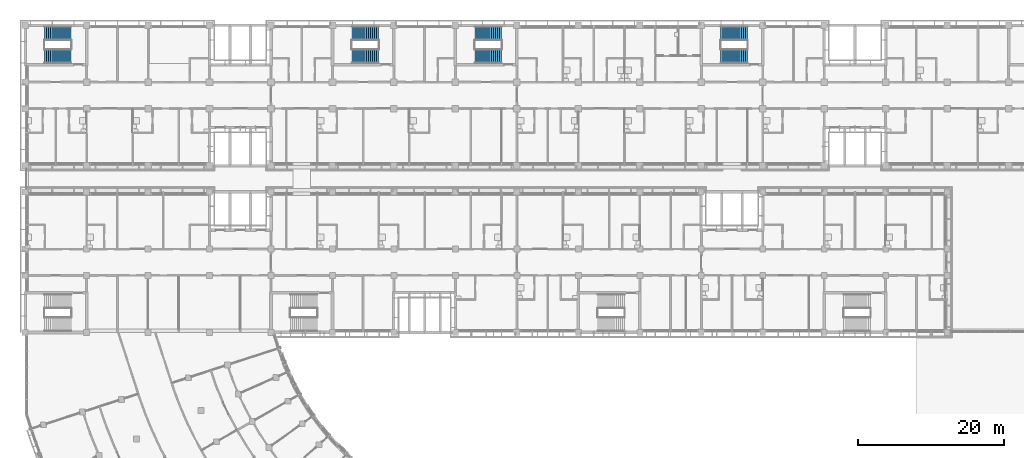
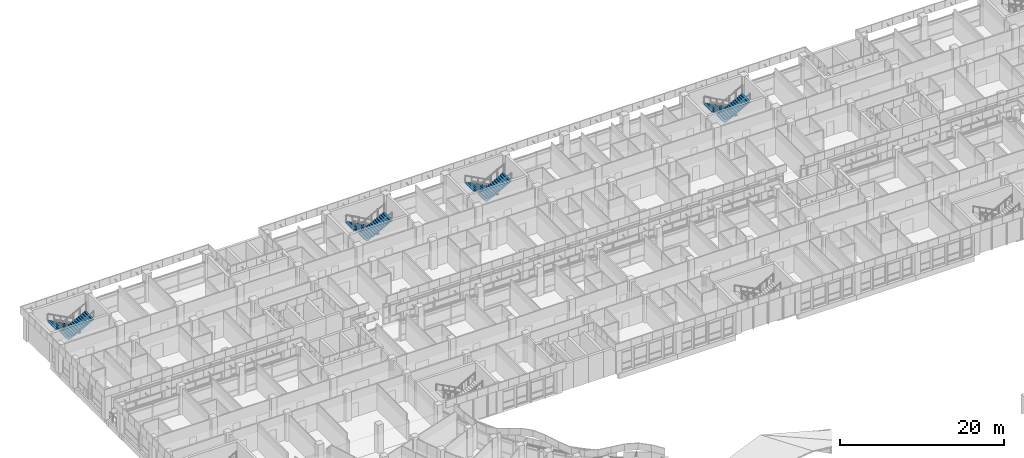
# One storey, part 90 of 137: 8 stair flights, 4 elements without a shape of their own.
"""IFC4 building model written with IfcOpenShell, lengths in metres."""

from ifc_helpers import new_model, si_unit, direction, frame, origin, place, context, subcontext, project, spatial, polyline, outline, extrude, material, type_object, element, aggregate, save


model = new_model("IFC4")

# Units and contexts
model_context = context("Model", 3, precision=1e-05, world=origin(), true_north=direction((0.0, 1.0)))
body_context = subcontext(model_context, "Body", "Model", "MODEL_VIEW")
ifc_project = project(units=[si_unit("LENGTHUNIT", "METRE"), si_unit("AREAUNIT", "SQUARE_METRE"), si_unit("VOLUMEUNIT", "CUBIC_METRE"), si_unit("PLANEANGLEUNIT", "RADIAN"), si_unit("MASSUNIT", "GRAM", prefix="KILO")], contexts=[model_context])

# Site, building, storey
site_placement = place(None, origin())
site = spatial("IfcSite", under=ifc_project, at=site_placement, CompositionType="ELEMENT")
building_placement = place(site_placement, origin())
building = spatial("IfcBuilding", under=site, at=building_placement, Name="Bougainvillea Quay General Hospital", CompositionType="ELEMENT")
storey_placement = place(building_placement, frame((0.0, 0.0, 16.800048828125)))
storey = spatial("IfcBuildingStorey", under=building, at=storey_placement, Name="L03", CompositionType="ELEMENT", Elevation=16.800048828125)

# Stair, stair flights
ifc_material = material(Name="Concrete C35", Category="concrete")
stair_type = type_object("IfcStairType", Name="Stair half-turn 1925 wide", PredefinedType="HALF_TURN_STAIR", material=ifc_material)
stair_1_placement = place(storey_placement, origin())
stair_1 = element("IfcStair", 1, at=stair_1_placement, inside=storey, type_object=stair_type, Name="L03 stair ST-A1", PredefinedType="HALF_TURN_STAIR")
stair_flight_type = type_object("IfcStairFlightType", Name="Stair flight 1925", PredefinedType="STRAIGHT", material=ifc_material)
stair_flight_1_placement = place(storey_placement, frame((48.300048828125, 158.46240234375, 0.0), z_axis=(0.0, 0.0, 1.0), x_axis=(-1.0, 0.0, 0.0)))
stair_flight_1 = element("IfcStairFlight", 2, at=stair_flight_1_placement, type_object=stair_flight_type, Name="ST-A1 flight 1", NumberOfRisers=14, NumberOfTreads=13, PredefinedType="STRAIGHT", RiserHeight=0.15, TreadLength=0.28, context=body_context, shape_type="SweptSolid", body=[
    extrude(outline(polyline([(-0.0029296875, 0.0), (-0.0029296875, 0.003662109375), (-0.0029296875, 0.00732421875), (-0.0029296875, 0.010986328125), (-0.0029296875, 0.0146484375), (-0.0029296875, 0.018310546875), (-0.0029296875, 0.02197265625), (-0.0029296875, 0.025634765625), (-0.0029296875, 0.029296875), (-0.0029296875, 0.032958984375), (-0.0029296875, 0.03662109375), (-0.0029296875, 0.040283203125), (-0.0029296875, 0.0439453125), (-0.0029296875, 0.047607421875), (-0.0029296875, 0.05126953125), (-0.0029296875, 0.054931640625), (-0.0029296875, 0.05859375), (-0.0029296875, 0.062255859375), (-0.0029296875, 0.06591796875), (-0.0029296875, 0.069580078125), (-0.0029296875, 0.0732421875), (-0.0029296875, 0.076904296875), (-0.0029296875, 0.08056640625), (-0.0029296875, 0.084228515625), (-0.0029296875, 0.087890625), (-0.0029296875, 0.091552734375), (-0.0029296875, 0.09521484375), (-0.0029296875, 0.098876953125), (-0.0029296875, 0.1025390625), (-0.0029296875, 0.106201171875), (-0.0029296875, 0.10986328125), (-0.0029296875, 0.113525390625), (-0.0029296875, 0.1171875), (-0.0029296875, 0.120849609375), (-0.0029296875, 0.12451171875), (-0.0029296875, 0.1279296875), (-0.0029296875, 0.131591796875), (-0.0029296875, 0.13525390625), (-0.0029296875, 0.138916015625), (-0.0029296875, 0.142578125), (-0.0029296875, 0.146240234375), (-0.0029296875, 0.14990234375), (0.280029296875, 0.14990234375), (0.280029296875, 0.300048828125), (0.56005859375, 0.300048828125), (0.56005859375, 0.449951171875), (0.840087890625, 0.449951171875), (0.840087890625, 0.60009765625), (1.1201171875, 0.60009765625), (1.1201171875, 0.75), (1.39990234375, 0.75), (1.39990234375, 0.89990234375), (1.679931640625, 0.89990234375), (1.679931640625, 1.050048828125), (1.9599609375, 1.050048828125), (1.9599609375, 1.199951171875), (2.239990234375, 1.199951171875), (2.239990234375, 1.35009765625), (2.52001953125, 1.35009765625), (2.52001953125, 1.5), (2.800048828125, 1.5), (2.800048828125, 1.64990234375), (3.080078125, 1.64990234375), (3.080078125, 1.800048828125), (3.360107421875, 1.800048828125), (3.360107421875, 1.949951171875), (3.64306640625, 1.949951171875), (3.64306640625, 1.94580078125), (3.64306640625, 1.941650390625), (3.64306640625, 1.9375), (3.64306640625, 1.933349609375), (3.64306640625, 1.92919921875), (3.64306640625, 1.925048828125), (3.64306640625, 1.9208984375), (3.64306640625, 1.916748046875), (3.64306640625, 1.91259765625), (3.64306640625, 1.908447265625), (3.64306640625, 1.904296875), (3.64306640625, 1.900146484375), (3.64306640625, 1.89599609375), (3.64306640625, 1.891845703125), (3.64306640625, 1.8876953125), (3.64306640625, 1.883544921875), (3.64306640625, 1.87939453125), (3.64306640625, 1.875244140625), (3.64306640625, 1.87109375), (3.64306640625, 1.866943359375), (3.64306640625, 1.86279296875), (3.64306640625, 1.858642578125), (3.64306640625, 1.8544921875), (3.64306640625, 1.850341796875), (3.64306640625, 1.84619140625), (3.64306640625, 1.842041015625), (3.64306640625, 1.837890625), (3.64306640625, 1.833984375), (3.64306640625, 1.829833984375), (3.64306640625, 1.82568359375), (3.64306640625, 1.821533203125), (3.64306640625, 1.8173828125), (3.64306640625, 1.813232421875), (3.64306640625, 1.80908203125), (3.64306640625, 1.804931640625), (3.64306640625, 1.80078125), (3.64306640625, 1.796630859375), (3.64306640625, 1.79248046875), (3.64306640625, 1.788330078125), (3.64306640625, 1.7841796875), (3.64306640625, 1.780029296875), (0.3173828125, 0.0), (-0.0029296875, 0.0)])), frame((0.0, 0.96240234375, 0.0), z_axis=(0.0, -1.0, 0.0), x_axis=(1.0, 0.0, 0.0)), (0.0, 0.0, 1.0), 1.925048828125),
])
stair_flight_2_placement = place(storey_placement, frame((44.659912109375, 155.33740234375, 2.099853515625), z_axis=(0.0, 0.0, 1.0), x_axis=(1.0, 0.0, 0.0)))
stair_flight_2 = element("IfcStairFlight", 3, at=stair_flight_2_placement, type_object=stair_flight_type, Name="ST-A1 flight 2", NumberOfRisers=14, NumberOfTreads=13, PredefinedType="STRAIGHT", RiserHeight=0.15, TreadLength=0.28, context=body_context, shape_type="SweptSolid", body=[
    extrude(outline(polyline([(-0.0029296875, 0.0), (-0.0029296875, 0.003662109375), (-0.0029296875, 0.00732421875), (-0.0029296875, 0.010986328125), (-0.0029296875, 0.0146484375), (-0.0029296875, 0.018310546875), (-0.0029296875, 0.02197265625), (-0.0029296875, 0.025634765625), (-0.0029296875, 0.029296875), (-0.0029296875, 0.032958984375), (-0.0029296875, 0.03662109375), (-0.0029296875, 0.040283203125), (-0.0029296875, 0.0439453125), (-0.0029296875, 0.047607421875), (-0.0029296875, 0.05126953125), (-0.0029296875, 0.054931640625), (-0.0029296875, 0.05859375), (-0.0029296875, 0.062255859375), (-0.0029296875, 0.06591796875), (-0.0029296875, 0.069580078125), (-0.0029296875, 0.0732421875), (-0.0029296875, 0.076904296875), (-0.0029296875, 0.08056640625), (-0.0029296875, 0.084228515625), (-0.0029296875, 0.087890625), (-0.0029296875, 0.091552734375), (-0.0029296875, 0.09521484375), (-0.0029296875, 0.098876953125), (-0.0029296875, 0.1025390625), (-0.0029296875, 0.106201171875), (-0.0029296875, 0.10986328125), (-0.0029296875, 0.113525390625), (-0.0029296875, 0.1171875), (-0.0029296875, 0.120849609375), (-0.0029296875, 0.12451171875), (-0.0029296875, 0.1279296875), (-0.0029296875, 0.131591796875), (-0.0029296875, 0.13525390625), (-0.0029296875, 0.138916015625), (-0.0029296875, 0.142578125), (-0.0029296875, 0.146240234375), (-0.0029296875, 0.14990234375), (0.280029296875, 0.14990234375), (0.280029296875, 0.300048828125), (0.56005859375, 0.300048828125), (0.56005859375, 0.449951171875), (0.840087890625, 0.449951171875), (0.840087890625, 0.60009765625), (1.1201171875, 0.60009765625), (1.1201171875, 0.75), (1.39990234375, 0.75), (1.39990234375, 0.89990234375), (1.679931640625, 0.89990234375), (1.679931640625, 1.050048828125), (1.9599609375, 1.050048828125), (1.9599609375, 1.199951171875), (2.239990234375, 1.199951171875), (2.239990234375, 1.35009765625), (2.52001953125, 1.35009765625), (2.52001953125, 1.5), (2.800048828125, 1.5), (2.800048828125, 1.64990234375), (3.080078125, 1.64990234375), (3.080078125, 1.800048828125), (3.360107421875, 1.800048828125), (3.360107421875, 1.949951171875), (3.64306640625, 1.949951171875), (3.64306640625, 1.94580078125), (3.64306640625, 1.941650390625), (3.64306640625, 1.9375), (3.64306640625, 1.933349609375), (3.64306640625, 1.92919921875), (3.64306640625, 1.925048828125), (3.64306640625, 1.9208984375), (3.64306640625, 1.916748046875), (3.64306640625, 1.91259765625), (3.64306640625, 1.908447265625), (3.64306640625, 1.904296875), (3.64306640625, 1.900146484375), (3.64306640625, 1.89599609375), (3.64306640625, 1.891845703125), (3.64306640625, 1.8876953125), (3.64306640625, 1.883544921875), (3.64306640625, 1.87939453125), (3.64306640625, 1.875244140625), (3.64306640625, 1.87109375), (3.64306640625, 1.866943359375), (3.64306640625, 1.86279296875), (3.64306640625, 1.858642578125), (3.64306640625, 1.8544921875), (3.64306640625, 1.850341796875), (3.64306640625, 1.84619140625), (3.64306640625, 1.842041015625), (3.64306640625, 1.837890625), (3.64306640625, 1.833984375), (3.64306640625, 1.829833984375), (3.64306640625, 1.82568359375), (3.64306640625, 1.821533203125), (3.64306640625, 1.8173828125), (3.64306640625, 1.813232421875), (3.64306640625, 1.80908203125), (3.64306640625, 1.804931640625), (3.64306640625, 1.80078125), (3.64306640625, 1.796630859375), (3.64306640625, 1.79248046875), (3.64306640625, 1.788330078125), (3.64306640625, 1.7841796875), (3.64306640625, 1.780029296875), (0.3173828125, 0.0), (-0.0029296875, 0.0)])), frame((0.0, 0.96240234375, 0.0), z_axis=(0.0, -1.0, 0.0), x_axis=(1.0, 0.0, 0.0)), (0.0, 0.0, 1.0), 1.925048828125),
])
aggregate(stair_1, [stair_flight_1, stair_flight_2])

stair_2_placement = place(storey_placement, origin())
stair_2 = element("IfcStair", 4, at=stair_2_placement, inside=storey, type_object=stair_type, Name="L03 stair ST-A2", PredefinedType="HALF_TURN_STAIR")
stair_flight_3_placement = place(storey_placement, frame((90.300048828125, 158.46240234375, 0.0), z_axis=(0.0, 0.0, 1.0), x_axis=(-1.0, 0.0, 0.0)))
stair_flight_3 = element("IfcStairFlight", 5, at=stair_flight_3_placement, type_object=stair_flight_type, Name="ST-A2 flight 1", NumberOfRisers=14, NumberOfTreads=13, PredefinedType="STRAIGHT", RiserHeight=0.15, TreadLength=0.28, context=body_context, shape_type="SweptSolid", body=[
    extrude(outline(polyline([(-0.0029296875, 0.0), (-0.0029296875, 0.003662109375), (-0.0029296875, 0.00732421875), (-0.0029296875, 0.010986328125), (-0.0029296875, 0.0146484375), (-0.0029296875, 0.018310546875), (-0.0029296875, 0.02197265625), (-0.0029296875, 0.025634765625), (-0.0029296875, 0.029296875), (-0.0029296875, 0.032958984375), (-0.0029296875, 0.03662109375), (-0.0029296875, 0.040283203125), (-0.0029296875, 0.0439453125), (-0.0029296875, 0.047607421875), (-0.0029296875, 0.05126953125), (-0.0029296875, 0.054931640625), (-0.0029296875, 0.05859375), (-0.0029296875, 0.062255859375), (-0.0029296875, 0.06591796875), (-0.0029296875, 0.069580078125), (-0.0029296875, 0.0732421875), (-0.0029296875, 0.076904296875), (-0.0029296875, 0.08056640625), (-0.0029296875, 0.084228515625), (-0.0029296875, 0.087890625), (-0.0029296875, 0.091552734375), (-0.0029296875, 0.09521484375), (-0.0029296875, 0.098876953125), (-0.0029296875, 0.1025390625), (-0.0029296875, 0.106201171875), (-0.0029296875, 0.10986328125), (-0.0029296875, 0.113525390625), (-0.0029296875, 0.1171875), (-0.0029296875, 0.120849609375), (-0.0029296875, 0.12451171875), (-0.0029296875, 0.1279296875), (-0.0029296875, 0.131591796875), (-0.0029296875, 0.13525390625), (-0.0029296875, 0.138916015625), (-0.0029296875, 0.142578125), (-0.0029296875, 0.146240234375), (-0.0029296875, 0.14990234375), (0.280029296875, 0.14990234375), (0.280029296875, 0.300048828125), (0.56005859375, 0.300048828125), (0.56005859375, 0.449951171875), (0.840087890625, 0.449951171875), (0.840087890625, 0.60009765625), (1.1201171875, 0.60009765625), (1.1201171875, 0.75), (1.39990234375, 0.75), (1.39990234375, 0.89990234375), (1.679931640625, 0.89990234375), (1.679931640625, 1.050048828125), (1.9599609375, 1.050048828125), (1.9599609375, 1.199951171875), (2.239990234375, 1.199951171875), (2.239990234375, 1.35009765625), (2.52001953125, 1.35009765625), (2.52001953125, 1.5), (2.800048828125, 1.5), (2.800048828125, 1.64990234375), (3.080078125, 1.64990234375), (3.080078125, 1.800048828125), (3.360107421875, 1.800048828125), (3.360107421875, 1.949951171875), (3.64306640625, 1.949951171875), (3.64306640625, 1.94580078125), (3.64306640625, 1.941650390625), (3.64306640625, 1.9375), (3.64306640625, 1.933349609375), (3.64306640625, 1.92919921875), (3.64306640625, 1.925048828125), (3.64306640625, 1.9208984375), (3.64306640625, 1.916748046875), (3.64306640625, 1.91259765625), (3.64306640625, 1.908447265625), (3.64306640625, 1.904296875), (3.64306640625, 1.900146484375), (3.64306640625, 1.89599609375), (3.64306640625, 1.891845703125), (3.64306640625, 1.8876953125), (3.64306640625, 1.883544921875), (3.64306640625, 1.87939453125), (3.64306640625, 1.875244140625), (3.64306640625, 1.87109375), (3.64306640625, 1.866943359375), (3.64306640625, 1.86279296875), (3.64306640625, 1.858642578125), (3.64306640625, 1.8544921875), (3.64306640625, 1.850341796875), (3.64306640625, 1.84619140625), (3.64306640625, 1.842041015625), (3.64306640625, 1.837890625), (3.64306640625, 1.833984375), (3.64306640625, 1.829833984375), (3.64306640625, 1.82568359375), (3.64306640625, 1.821533203125), (3.64306640625, 1.8173828125), (3.64306640625, 1.813232421875), (3.64306640625, 1.80908203125), (3.64306640625, 1.804931640625), (3.64306640625, 1.80078125), (3.64306640625, 1.796630859375), (3.64306640625, 1.79248046875), (3.64306640625, 1.788330078125), (3.64306640625, 1.7841796875), (3.64306640625, 1.780029296875), (0.3173828125, 0.0), (-0.0029296875, 0.0)])), frame((0.0, 0.96240234375, 0.0), z_axis=(0.0, -1.0, 0.0), x_axis=(1.0, 0.0, 0.0)), (0.0, 0.0, 1.0), 1.925048828125),
])
stair_flight_4_placement = place(storey_placement, frame((86.659912109375, 155.33740234375, 2.099853515625), z_axis=(0.0, 0.0, 1.0), x_axis=(1.0, 0.0, 0.0)))
stair_flight_4 = element("IfcStairFlight", 6, at=stair_flight_4_placement, type_object=stair_flight_type, Name="ST-A2 flight 2", NumberOfRisers=14, NumberOfTreads=13, PredefinedType="STRAIGHT", RiserHeight=0.15, TreadLength=0.28, context=body_context, shape_type="SweptSolid", body=[
    extrude(outline(polyline([(-0.0029296875, 0.0), (-0.0029296875, 0.003662109375), (-0.0029296875, 0.00732421875), (-0.0029296875, 0.010986328125), (-0.0029296875, 0.0146484375), (-0.0029296875, 0.018310546875), (-0.0029296875, 0.02197265625), (-0.0029296875, 0.025634765625), (-0.0029296875, 0.029296875), (-0.0029296875, 0.032958984375), (-0.0029296875, 0.03662109375), (-0.0029296875, 0.040283203125), (-0.0029296875, 0.0439453125), (-0.0029296875, 0.047607421875), (-0.0029296875, 0.05126953125), (-0.0029296875, 0.054931640625), (-0.0029296875, 0.05859375), (-0.0029296875, 0.062255859375), (-0.0029296875, 0.06591796875), (-0.0029296875, 0.069580078125), (-0.0029296875, 0.0732421875), (-0.0029296875, 0.076904296875), (-0.0029296875, 0.08056640625), (-0.0029296875, 0.084228515625), (-0.0029296875, 0.087890625), (-0.0029296875, 0.091552734375), (-0.0029296875, 0.09521484375), (-0.0029296875, 0.098876953125), (-0.0029296875, 0.1025390625), (-0.0029296875, 0.106201171875), (-0.0029296875, 0.10986328125), (-0.0029296875, 0.113525390625), (-0.0029296875, 0.1171875), (-0.0029296875, 0.120849609375), (-0.0029296875, 0.12451171875), (-0.0029296875, 0.1279296875), (-0.0029296875, 0.131591796875), (-0.0029296875, 0.13525390625), (-0.0029296875, 0.138916015625), (-0.0029296875, 0.142578125), (-0.0029296875, 0.146240234375), (-0.0029296875, 0.14990234375), (0.280029296875, 0.14990234375), (0.280029296875, 0.300048828125), (0.56005859375, 0.300048828125), (0.56005859375, 0.449951171875), (0.840087890625, 0.449951171875), (0.840087890625, 0.60009765625), (1.1201171875, 0.60009765625), (1.1201171875, 0.75), (1.39990234375, 0.75), (1.39990234375, 0.89990234375), (1.679931640625, 0.89990234375), (1.679931640625, 1.050048828125), (1.9599609375, 1.050048828125), (1.9599609375, 1.199951171875), (2.239990234375, 1.199951171875), (2.239990234375, 1.35009765625), (2.52001953125, 1.35009765625), (2.52001953125, 1.5), (2.800048828125, 1.5), (2.800048828125, 1.64990234375), (3.080078125, 1.64990234375), (3.080078125, 1.800048828125), (3.360107421875, 1.800048828125), (3.360107421875, 1.949951171875), (3.64306640625, 1.949951171875), (3.64306640625, 1.94580078125), (3.64306640625, 1.941650390625), (3.64306640625, 1.9375), (3.64306640625, 1.933349609375), (3.64306640625, 1.92919921875), (3.64306640625, 1.925048828125), (3.64306640625, 1.9208984375), (3.64306640625, 1.916748046875), (3.64306640625, 1.91259765625), (3.64306640625, 1.908447265625), (3.64306640625, 1.904296875), (3.64306640625, 1.900146484375), (3.64306640625, 1.89599609375), (3.64306640625, 1.891845703125), (3.64306640625, 1.8876953125), (3.64306640625, 1.883544921875), (3.64306640625, 1.87939453125), (3.64306640625, 1.875244140625), (3.64306640625, 1.87109375), (3.64306640625, 1.866943359375), (3.64306640625, 1.86279296875), (3.64306640625, 1.858642578125), (3.64306640625, 1.8544921875), (3.64306640625, 1.850341796875), (3.64306640625, 1.84619140625), (3.64306640625, 1.842041015625), (3.64306640625, 1.837890625), (3.64306640625, 1.833984375), (3.64306640625, 1.829833984375), (3.64306640625, 1.82568359375), (3.64306640625, 1.821533203125), (3.64306640625, 1.8173828125), (3.64306640625, 1.813232421875), (3.64306640625, 1.80908203125), (3.64306640625, 1.804931640625), (3.64306640625, 1.80078125), (3.64306640625, 1.796630859375), (3.64306640625, 1.79248046875), (3.64306640625, 1.788330078125), (3.64306640625, 1.7841796875), (3.64306640625, 1.780029296875), (0.3173828125, 0.0), (-0.0029296875, 0.0)])), frame((0.0, 0.96240234375, 0.0), z_axis=(0.0, -1.0, 0.0), x_axis=(1.0, 0.0, 0.0)), (0.0, 0.0, 1.0), 1.925048828125),
])
aggregate(stair_2, [stair_flight_3, stair_flight_4])

stair_3_placement = place(storey_placement, origin())
stair_3 = element("IfcStair", 7, at=stair_3_placement, inside=storey, type_object=stair_type, Name="L03 stair ST-A3", PredefinedType="HALF_TURN_STAIR")
stair_flight_5_placement = place(storey_placement, frame((140.699951171875, 158.46240234375, 0.0), z_axis=(0.0, 0.0, 1.0), x_axis=(-1.0, 0.0, 0.0)))
stair_flight_5 = element("IfcStairFlight", 8, at=stair_flight_5_placement, type_object=stair_flight_type, Name="ST-A3 flight 1", NumberOfRisers=14, NumberOfTreads=13, PredefinedType="STRAIGHT", RiserHeight=0.15, TreadLength=0.28, context=body_context, shape_type="SweptSolid", body=[
    extrude(outline(polyline([(-0.0029296875, 0.0), (-0.0029296875, 0.003662109375), (-0.0029296875, 0.00732421875), (-0.0029296875, 0.010986328125), (-0.0029296875, 0.0146484375), (-0.0029296875, 0.018310546875), (-0.0029296875, 0.02197265625), (-0.0029296875, 0.025634765625), (-0.0029296875, 0.029296875), (-0.0029296875, 0.032958984375), (-0.0029296875, 0.03662109375), (-0.0029296875, 0.040283203125), (-0.0029296875, 0.0439453125), (-0.0029296875, 0.047607421875), (-0.0029296875, 0.05126953125), (-0.0029296875, 0.054931640625), (-0.0029296875, 0.05859375), (-0.0029296875, 0.062255859375), (-0.0029296875, 0.06591796875), (-0.0029296875, 0.069580078125), (-0.0029296875, 0.0732421875), (-0.0029296875, 0.076904296875), (-0.0029296875, 0.08056640625), (-0.0029296875, 0.084228515625), (-0.0029296875, 0.087890625), (-0.0029296875, 0.091552734375), (-0.0029296875, 0.09521484375), (-0.0029296875, 0.098876953125), (-0.0029296875, 0.1025390625), (-0.0029296875, 0.106201171875), (-0.0029296875, 0.10986328125), (-0.0029296875, 0.113525390625), (-0.0029296875, 0.1171875), (-0.0029296875, 0.120849609375), (-0.0029296875, 0.12451171875), (-0.0029296875, 0.1279296875), (-0.0029296875, 0.131591796875), (-0.0029296875, 0.13525390625), (-0.0029296875, 0.138916015625), (-0.0029296875, 0.142578125), (-0.0029296875, 0.146240234375), (-0.0029296875, 0.14990234375), (0.280029296875, 0.14990234375), (0.280029296875, 0.300048828125), (0.56005859375, 0.300048828125), (0.56005859375, 0.449951171875), (0.840087890625, 0.449951171875), (0.840087890625, 0.60009765625), (1.1201171875, 0.60009765625), (1.1201171875, 0.75), (1.39990234375, 0.75), (1.39990234375, 0.89990234375), (1.679931640625, 0.89990234375), (1.679931640625, 1.050048828125), (1.9599609375, 1.050048828125), (1.9599609375, 1.199951171875), (2.239990234375, 1.199951171875), (2.239990234375, 1.35009765625), (2.52001953125, 1.35009765625), (2.52001953125, 1.5), (2.800048828125, 1.5), (2.800048828125, 1.64990234375), (3.080078125, 1.64990234375), (3.080078125, 1.800048828125), (3.360107421875, 1.800048828125), (3.360107421875, 1.949951171875), (3.64306640625, 1.949951171875), (3.64306640625, 1.94580078125), (3.64306640625, 1.941650390625), (3.64306640625, 1.9375), (3.64306640625, 1.933349609375), (3.64306640625, 1.92919921875), (3.64306640625, 1.925048828125), (3.64306640625, 1.9208984375), (3.64306640625, 1.916748046875), (3.64306640625, 1.91259765625), (3.64306640625, 1.908447265625), (3.64306640625, 1.904296875), (3.64306640625, 1.900146484375), (3.64306640625, 1.89599609375), (3.64306640625, 1.891845703125), (3.64306640625, 1.8876953125), (3.64306640625, 1.883544921875), (3.64306640625, 1.87939453125), (3.64306640625, 1.875244140625), (3.64306640625, 1.87109375), (3.64306640625, 1.866943359375), (3.64306640625, 1.86279296875), (3.64306640625, 1.858642578125), (3.64306640625, 1.8544921875), (3.64306640625, 1.850341796875), (3.64306640625, 1.84619140625), (3.64306640625, 1.842041015625), (3.64306640625, 1.837890625), (3.64306640625, 1.833984375), (3.64306640625, 1.829833984375), (3.64306640625, 1.82568359375), (3.64306640625, 1.821533203125), (3.64306640625, 1.8173828125), (3.64306640625, 1.813232421875), (3.64306640625, 1.80908203125), (3.64306640625, 1.804931640625), (3.64306640625, 1.80078125), (3.64306640625, 1.796630859375), (3.64306640625, 1.79248046875), (3.64306640625, 1.788330078125), (3.64306640625, 1.7841796875), (3.64306640625, 1.780029296875), (0.3173828125, 0.0), (-0.0029296875, 0.0)])), frame((0.0, 0.96240234375, 0.0), z_axis=(0.0, -1.0, 0.0), x_axis=(1.0, 0.0, 0.0)), (0.0, 0.0, 1.0), 1.925048828125),
])
stair_flight_6_placement = place(storey_placement, frame((137.06005859375, 155.33740234375, 2.099853515625), z_axis=(0.0, 0.0, 1.0), x_axis=(1.0, 0.0, 0.0)))
stair_flight_6 = element("IfcStairFlight", 9, at=stair_flight_6_placement, type_object=stair_flight_type, Name="ST-A3 flight 2", NumberOfRisers=14, NumberOfTreads=13, PredefinedType="STRAIGHT", RiserHeight=0.15, TreadLength=0.28, context=body_context, shape_type="SweptSolid", body=[
    extrude(outline(polyline([(-0.0029296875, 0.0), (-0.0029296875, 0.003662109375), (-0.0029296875, 0.00732421875), (-0.0029296875, 0.010986328125), (-0.0029296875, 0.0146484375), (-0.0029296875, 0.018310546875), (-0.0029296875, 0.02197265625), (-0.0029296875, 0.025634765625), (-0.0029296875, 0.029296875), (-0.0029296875, 0.032958984375), (-0.0029296875, 0.03662109375), (-0.0029296875, 0.040283203125), (-0.0029296875, 0.0439453125), (-0.0029296875, 0.047607421875), (-0.0029296875, 0.05126953125), (-0.0029296875, 0.054931640625), (-0.0029296875, 0.05859375), (-0.0029296875, 0.062255859375), (-0.0029296875, 0.06591796875), (-0.0029296875, 0.069580078125), (-0.0029296875, 0.0732421875), (-0.0029296875, 0.076904296875), (-0.0029296875, 0.08056640625), (-0.0029296875, 0.084228515625), (-0.0029296875, 0.087890625), (-0.0029296875, 0.091552734375), (-0.0029296875, 0.09521484375), (-0.0029296875, 0.098876953125), (-0.0029296875, 0.1025390625), (-0.0029296875, 0.106201171875), (-0.0029296875, 0.10986328125), (-0.0029296875, 0.113525390625), (-0.0029296875, 0.1171875), (-0.0029296875, 0.120849609375), (-0.0029296875, 0.12451171875), (-0.0029296875, 0.1279296875), (-0.0029296875, 0.131591796875), (-0.0029296875, 0.13525390625), (-0.0029296875, 0.138916015625), (-0.0029296875, 0.142578125), (-0.0029296875, 0.146240234375), (-0.0029296875, 0.14990234375), (0.280029296875, 0.14990234375), (0.280029296875, 0.300048828125), (0.56005859375, 0.300048828125), (0.56005859375, 0.449951171875), (0.840087890625, 0.449951171875), (0.840087890625, 0.60009765625), (1.1201171875, 0.60009765625), (1.1201171875, 0.75), (1.39990234375, 0.75), (1.39990234375, 0.89990234375), (1.679931640625, 0.89990234375), (1.679931640625, 1.050048828125), (1.9599609375, 1.050048828125), (1.9599609375, 1.199951171875), (2.239990234375, 1.199951171875), (2.239990234375, 1.35009765625), (2.52001953125, 1.35009765625), (2.52001953125, 1.5), (2.800048828125, 1.5), (2.800048828125, 1.64990234375), (3.080078125, 1.64990234375), (3.080078125, 1.800048828125), (3.360107421875, 1.800048828125), (3.360107421875, 1.949951171875), (3.64306640625, 1.949951171875), (3.64306640625, 1.94580078125), (3.64306640625, 1.941650390625), (3.64306640625, 1.9375), (3.64306640625, 1.933349609375), (3.64306640625, 1.92919921875), (3.64306640625, 1.925048828125), (3.64306640625, 1.9208984375), (3.64306640625, 1.916748046875), (3.64306640625, 1.91259765625), (3.64306640625, 1.908447265625), (3.64306640625, 1.904296875), (3.64306640625, 1.900146484375), (3.64306640625, 1.89599609375), (3.64306640625, 1.891845703125), (3.64306640625, 1.8876953125), (3.64306640625, 1.883544921875), (3.64306640625, 1.87939453125), (3.64306640625, 1.875244140625), (3.64306640625, 1.87109375), (3.64306640625, 1.866943359375), (3.64306640625, 1.86279296875), (3.64306640625, 1.858642578125), (3.64306640625, 1.8544921875), (3.64306640625, 1.850341796875), (3.64306640625, 1.84619140625), (3.64306640625, 1.842041015625), (3.64306640625, 1.837890625), (3.64306640625, 1.833984375), (3.64306640625, 1.829833984375), (3.64306640625, 1.82568359375), (3.64306640625, 1.821533203125), (3.64306640625, 1.8173828125), (3.64306640625, 1.813232421875), (3.64306640625, 1.80908203125), (3.64306640625, 1.804931640625), (3.64306640625, 1.80078125), (3.64306640625, 1.796630859375), (3.64306640625, 1.79248046875), (3.64306640625, 1.788330078125), (3.64306640625, 1.7841796875), (3.64306640625, 1.780029296875), (0.3173828125, 0.0), (-0.0029296875, 0.0)])), frame((0.0, 0.96240234375, 0.0), z_axis=(0.0, -1.0, 0.0), x_axis=(1.0, 0.0, 0.0)), (0.0, 0.0, 1.0), 1.925048828125),
])
aggregate(stair_3, [stair_flight_5, stair_flight_6])

stair_4_placement = place(storey_placement, origin())
stair_4 = element("IfcStair", 10, at=stair_4_placement, inside=storey, type_object=stair_type, Name="L03 stair ST-A5", PredefinedType="HALF_TURN_STAIR")
stair_flight_7_placement = place(storey_placement, frame((107.10009765625, 158.46240234375, 0.0), z_axis=(0.0, 0.0, 1.0), x_axis=(-1.0, 0.0, 0.0)))
stair_flight_7 = element("IfcStairFlight", 11, at=stair_flight_7_placement, type_object=stair_flight_type, Name="ST-A5 flight 1", NumberOfRisers=14, NumberOfTreads=13, PredefinedType="STRAIGHT", RiserHeight=0.15, TreadLength=0.28, context=body_context, shape_type="SweptSolid", body=[
    extrude(outline(polyline([(-0.0029296875, 0.0), (-0.0029296875, 0.003662109375), (-0.0029296875, 0.00732421875), (-0.0029296875, 0.010986328125), (-0.0029296875, 0.0146484375), (-0.0029296875, 0.018310546875), (-0.0029296875, 0.02197265625), (-0.0029296875, 0.025634765625), (-0.0029296875, 0.029296875), (-0.0029296875, 0.032958984375), (-0.0029296875, 0.03662109375), (-0.0029296875, 0.040283203125), (-0.0029296875, 0.0439453125), (-0.0029296875, 0.047607421875), (-0.0029296875, 0.05126953125), (-0.0029296875, 0.054931640625), (-0.0029296875, 0.05859375), (-0.0029296875, 0.062255859375), (-0.0029296875, 0.06591796875), (-0.0029296875, 0.069580078125), (-0.0029296875, 0.0732421875), (-0.0029296875, 0.076904296875), (-0.0029296875, 0.08056640625), (-0.0029296875, 0.084228515625), (-0.0029296875, 0.087890625), (-0.0029296875, 0.091552734375), (-0.0029296875, 0.09521484375), (-0.0029296875, 0.098876953125), (-0.0029296875, 0.1025390625), (-0.0029296875, 0.106201171875), (-0.0029296875, 0.10986328125), (-0.0029296875, 0.113525390625), (-0.0029296875, 0.1171875), (-0.0029296875, 0.120849609375), (-0.0029296875, 0.12451171875), (-0.0029296875, 0.1279296875), (-0.0029296875, 0.131591796875), (-0.0029296875, 0.13525390625), (-0.0029296875, 0.138916015625), (-0.0029296875, 0.142578125), (-0.0029296875, 0.146240234375), (-0.0029296875, 0.14990234375), (0.280029296875, 0.14990234375), (0.280029296875, 0.300048828125), (0.56005859375, 0.300048828125), (0.56005859375, 0.449951171875), (0.840087890625, 0.449951171875), (0.840087890625, 0.60009765625), (1.1201171875, 0.60009765625), (1.1201171875, 0.75), (1.39990234375, 0.75), (1.39990234375, 0.89990234375), (1.679931640625, 0.89990234375), (1.679931640625, 1.050048828125), (1.9599609375, 1.050048828125), (1.9599609375, 1.199951171875), (2.239990234375, 1.199951171875), (2.239990234375, 1.35009765625), (2.52001953125, 1.35009765625), (2.52001953125, 1.5), (2.800048828125, 1.5), (2.800048828125, 1.64990234375), (3.080078125, 1.64990234375), (3.080078125, 1.800048828125), (3.360107421875, 1.800048828125), (3.360107421875, 1.949951171875), (3.64306640625, 1.949951171875), (3.64306640625, 1.94580078125), (3.64306640625, 1.941650390625), (3.64306640625, 1.9375), (3.64306640625, 1.933349609375), (3.64306640625, 1.92919921875), (3.64306640625, 1.925048828125), (3.64306640625, 1.9208984375), (3.64306640625, 1.916748046875), (3.64306640625, 1.91259765625), (3.64306640625, 1.908447265625), (3.64306640625, 1.904296875), (3.64306640625, 1.900146484375), (3.64306640625, 1.89599609375), (3.64306640625, 1.891845703125), (3.64306640625, 1.8876953125), (3.64306640625, 1.883544921875), (3.64306640625, 1.87939453125), (3.64306640625, 1.875244140625), (3.64306640625, 1.87109375), (3.64306640625, 1.866943359375), (3.64306640625, 1.86279296875), (3.64306640625, 1.858642578125), (3.64306640625, 1.8544921875), (3.64306640625, 1.850341796875), (3.64306640625, 1.84619140625), (3.64306640625, 1.842041015625), (3.64306640625, 1.837890625), (3.64306640625, 1.833984375), (3.64306640625, 1.829833984375), (3.64306640625, 1.82568359375), (3.64306640625, 1.821533203125), (3.64306640625, 1.8173828125), (3.64306640625, 1.813232421875), (3.64306640625, 1.80908203125), (3.64306640625, 1.804931640625), (3.64306640625, 1.80078125), (3.64306640625, 1.796630859375), (3.64306640625, 1.79248046875), (3.64306640625, 1.788330078125), (3.64306640625, 1.7841796875), (3.64306640625, 1.780029296875), (0.3173828125, 0.0), (-0.0029296875, 0.0)])), frame((0.0, 0.96240234375, 0.0), z_axis=(0.0, -1.0, 0.0), x_axis=(1.0, 0.0, 0.0)), (0.0, 0.0, 1.0), 1.925048828125),
])
stair_flight_8_placement = place(storey_placement, frame((103.4599609375, 155.33740234375, 2.099853515625), z_axis=(0.0, 0.0, 1.0), x_axis=(1.0, 0.0, 0.0)))
stair_flight_8 = element("IfcStairFlight", 12, at=stair_flight_8_placement, type_object=stair_flight_type, Name="ST-A5 flight 2", NumberOfRisers=14, NumberOfTreads=13, PredefinedType="STRAIGHT", RiserHeight=0.15, TreadLength=0.28, context=body_context, shape_type="SweptSolid", body=[
    extrude(outline(polyline([(-0.0029296875, 0.0), (-0.0029296875, 0.003662109375), (-0.0029296875, 0.00732421875), (-0.0029296875, 0.010986328125), (-0.0029296875, 0.0146484375), (-0.0029296875, 0.018310546875), (-0.0029296875, 0.02197265625), (-0.0029296875, 0.025634765625), (-0.0029296875, 0.029296875), (-0.0029296875, 0.032958984375), (-0.0029296875, 0.03662109375), (-0.0029296875, 0.040283203125), (-0.0029296875, 0.0439453125), (-0.0029296875, 0.047607421875), (-0.0029296875, 0.05126953125), (-0.0029296875, 0.054931640625), (-0.0029296875, 0.05859375), (-0.0029296875, 0.062255859375), (-0.0029296875, 0.06591796875), (-0.0029296875, 0.069580078125), (-0.0029296875, 0.0732421875), (-0.0029296875, 0.076904296875), (-0.0029296875, 0.08056640625), (-0.0029296875, 0.084228515625), (-0.0029296875, 0.087890625), (-0.0029296875, 0.091552734375), (-0.0029296875, 0.09521484375), (-0.0029296875, 0.098876953125), (-0.0029296875, 0.1025390625), (-0.0029296875, 0.106201171875), (-0.0029296875, 0.10986328125), (-0.0029296875, 0.113525390625), (-0.0029296875, 0.1171875), (-0.0029296875, 0.120849609375), (-0.0029296875, 0.12451171875), (-0.0029296875, 0.1279296875), (-0.0029296875, 0.131591796875), (-0.0029296875, 0.13525390625), (-0.0029296875, 0.138916015625), (-0.0029296875, 0.142578125), (-0.0029296875, 0.146240234375), (-0.0029296875, 0.14990234375), (0.280029296875, 0.14990234375), (0.280029296875, 0.300048828125), (0.56005859375, 0.300048828125), (0.56005859375, 0.449951171875), (0.840087890625, 0.449951171875), (0.840087890625, 0.60009765625), (1.1201171875, 0.60009765625), (1.1201171875, 0.75), (1.39990234375, 0.75), (1.39990234375, 0.89990234375), (1.679931640625, 0.89990234375), (1.679931640625, 1.050048828125), (1.9599609375, 1.050048828125), (1.9599609375, 1.199951171875), (2.239990234375, 1.199951171875), (2.239990234375, 1.35009765625), (2.52001953125, 1.35009765625), (2.52001953125, 1.5), (2.800048828125, 1.5), (2.800048828125, 1.64990234375), (3.080078125, 1.64990234375), (3.080078125, 1.800048828125), (3.360107421875, 1.800048828125), (3.360107421875, 1.949951171875), (3.64306640625, 1.949951171875), (3.64306640625, 1.94580078125), (3.64306640625, 1.941650390625), (3.64306640625, 1.9375), (3.64306640625, 1.933349609375), (3.64306640625, 1.92919921875), (3.64306640625, 1.925048828125), (3.64306640625, 1.9208984375), (3.64306640625, 1.916748046875), (3.64306640625, 1.91259765625), (3.64306640625, 1.908447265625), (3.64306640625, 1.904296875), (3.64306640625, 1.900146484375), (3.64306640625, 1.89599609375), (3.64306640625, 1.891845703125), (3.64306640625, 1.8876953125), (3.64306640625, 1.883544921875), (3.64306640625, 1.87939453125), (3.64306640625, 1.875244140625), (3.64306640625, 1.87109375), (3.64306640625, 1.866943359375), (3.64306640625, 1.86279296875), (3.64306640625, 1.858642578125), (3.64306640625, 1.8544921875), (3.64306640625, 1.850341796875), (3.64306640625, 1.84619140625), (3.64306640625, 1.842041015625), (3.64306640625, 1.837890625), (3.64306640625, 1.833984375), (3.64306640625, 1.829833984375), (3.64306640625, 1.82568359375), (3.64306640625, 1.821533203125), (3.64306640625, 1.8173828125), (3.64306640625, 1.813232421875), (3.64306640625, 1.80908203125), (3.64306640625, 1.804931640625), (3.64306640625, 1.80078125), (3.64306640625, 1.796630859375), (3.64306640625, 1.79248046875), (3.64306640625, 1.788330078125), (3.64306640625, 1.7841796875), (3.64306640625, 1.780029296875), (0.3173828125, 0.0), (-0.0029296875, 0.0)])), frame((0.0, 0.96240234375, 0.0), z_axis=(0.0, -1.0, 0.0), x_axis=(1.0, 0.0, 0.0)), (0.0, 0.0, 1.0), 1.925048828125),
])
aggregate(stair_4, [stair_flight_7, stair_flight_8])

save(model, "model.ifc")
